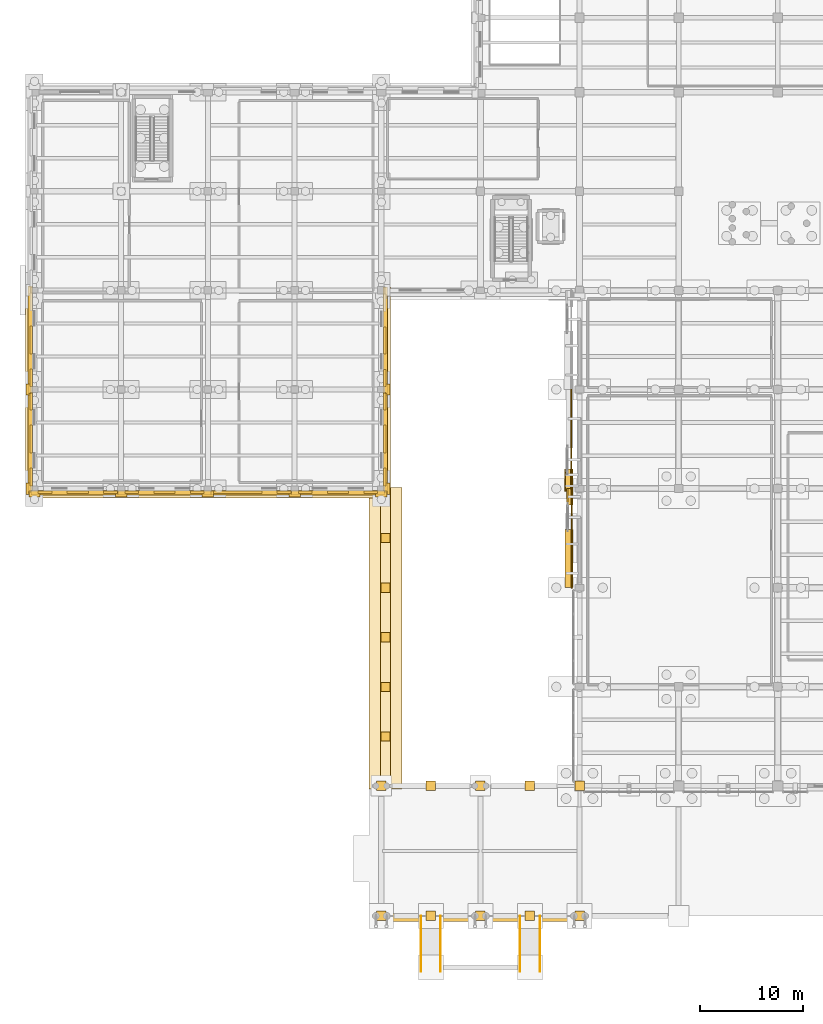
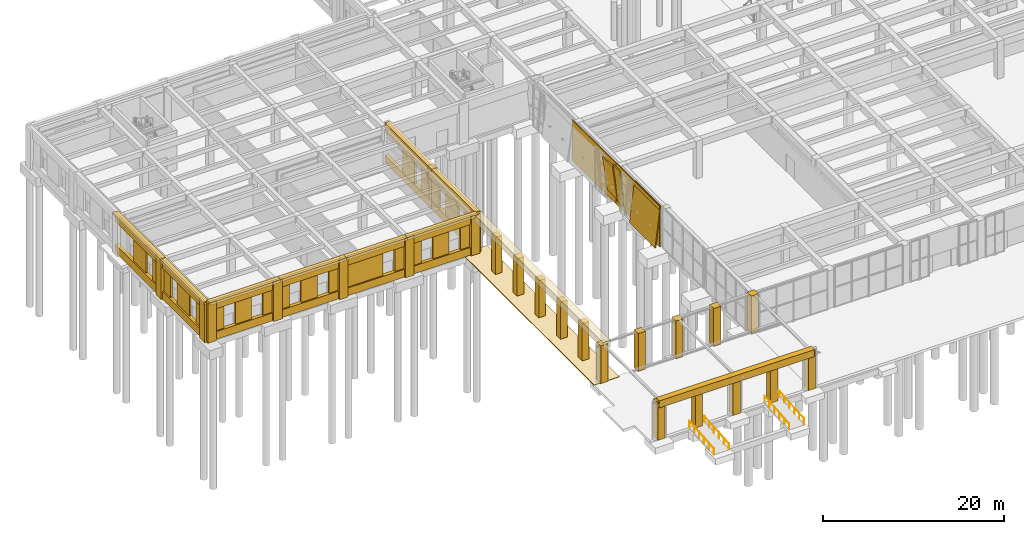
# One storey, part 40 of 51: 77 coverings, 4 railings.
"""IFC4 building model written with IfcOpenShell, lengths in metres."""

import ifcopenshell
import ifcopenshell.guid

model = None  # the IFC model being written
_history = None  # IfcOwnerHistory: only IFC2X3 demands one
_inside = {}  # id of a spatial element -> (the spatial element, [elements in it])
_under = {}  # id of a project, library or spatial element -> (it, [spatial elements below it])
_declared = {}  # id of a project -> (the project, [libraries it declares])
_typed = {}  # id of a type object -> (the type object, [elements of that type])
_made_of = {}  # id of a material, layer set ... -> (it, [elements and type objects made of it])


def new_model(schema):
    """Start an empty IFC model of exactly this schema.

    Asked for "IFC4X3", IfcOpenShell would pick the latest addendum, in which some entities
    have other attributes; the version numbers below select the first issue.
    IFC2X3 requires an IfcOwnerHistory on every rooted entity: one is made here for all.
    """
    global model, _history
    if schema == "IFC4X3":
        model = ifcopenshell.file(schema_version=(4, 3, 0, 0))
    else:
        model = ifcopenshell.file(schema=schema)
    _inside.clear()
    _under.clear()
    _declared.clear()
    _typed.clear()
    _made_of.clear()
    _history = None
    if model.schema == "IFC2X3":
        org = make("IfcOrganization", Name="unknown")
        user = make(
            "IfcPersonAndOrganization",
            ThePerson=make("IfcPerson", FamilyName="unknown"),
            TheOrganization=org,
        )
        app = make(
            "IfcApplication",
            ApplicationDeveloper=org,
            Version="unknown",
            ApplicationFullName="unknown",
            ApplicationIdentifier="unknown",
        )
        _history = make(
            "IfcOwnerHistory",
            OwningUser=user,
            OwningApplication=app,
            ChangeAction="ADDED",
            CreationDate=0,
        )
    return model


def make(cls, **values):
    """One entity of the class cls with the attributes given. An attribute that is None is left unset."""
    return model.create_entity(
        cls, **{name: value for name, value in values.items() if value is not None}
    )


def rooted(cls, **values):
    """An entity with a GlobalId (a new one), such as an element, a storey or a relation."""
    return make(cls, GlobalId=ifcopenshell.guid.new(), OwnerHistory=_history, **values)


def si_unit(unit_type, name, prefix=None):
    """IfcSIUnit, for example si_unit("LENGTHUNIT", "METRE", prefix="MILLI")."""
    return make("IfcSIUnit", UnitType=unit_type, Prefix=prefix, Name=name)


def assignment(units):
    """IfcUnitAssignment: the units of a project."""
    return None if units is None else make("IfcUnitAssignment", Units=units)


def point(xyz):
    """IfcCartesianPoint."""
    return None if xyz is None else make("IfcCartesianPoint", Coordinates=xyz)


def direction(xyz):
    """IfcDirection."""
    return None if xyz is None else make("IfcDirection", DirectionRatios=xyz)


def frame(location, z_axis=None, x_axis=None):
    """IfcAxis2Placement3D, a coordinate frame: its origin and axes. An axis left out is left unset."""
    return make(
        "IfcAxis2Placement3D",
        Location=point(location),
        Axis=direction(z_axis),
        RefDirection=direction(x_axis),
    )


def frame_2d(location, x_axis=None):
    """IfcAxis2Placement2D, a coordinate frame in the plane: its origin and x axis."""
    return make(
        "IfcAxis2Placement2D", Location=point(location), RefDirection=direction(x_axis)
    )


def origin():
    """The frame at (0, 0, 0) with its axes left unset."""
    return frame((0.0, 0.0, 0.0))


def origin_2d():
    """The frame at (0, 0) in the plane with its x axis left unset."""
    return frame_2d((0.0, 0.0))


def place(relative_to, where):
    """IfcLocalPlacement: puts the frame where relative to a parent placement (None: the world)."""
    return make(
        "IfcLocalPlacement", PlacementRelTo=relative_to, RelativePlacement=where
    )


def context(
    kind, dimensions, precision=None, world=None, true_north=None, identifier=None
):
    """IfcGeometricRepresentationContext, for example the 3D "Model" context."""
    return make(
        "IfcGeometricRepresentationContext",
        ContextIdentifier=identifier,
        ContextType=kind,
        CoordinateSpaceDimension=dimensions,
        Precision=precision,
        WorldCoordinateSystem=world,
        TrueNorth=true_north,
    )


def subcontext(parent, identifier, kind, view, scale=None):
    """IfcGeometricRepresentationSubContext, for example "Body" below "Model"."""
    return make(
        "IfcGeometricRepresentationSubContext",
        ContextIdentifier=identifier,
        ContextType=kind,
        ParentContext=parent,
        TargetScale=scale,
        TargetView=view,
    )


def project(units=None, contexts=None):
    """IfcProject with its units and contexts."""
    return rooted(
        "IfcProject",
        Name="project",
        RepresentationContexts=contexts,
        UnitsInContext=assignment(units),
    )


def spatial(cls, under=None, at=None, **own):
    """A site, building, storey or space (cls), placed at a placement, below another one or the project."""
    s = rooted(cls, ObjectPlacement=at, **own)
    if under is not None:
        _under.setdefault(under.id(), (under, []))[1].append(s)
    return s


def profile(cls, at=None, kind="AREA", **sizes):
    """A parametric profile (cls). Its sizes go by their IFC names, for example OverallWidth=200.0."""
    return make(cls, ProfileType=kind, Position=at, **sizes)


def rectangle(**sizes):
    """IfcRectangleProfileDef."""
    return profile("IfcRectangleProfileDef", **sizes)


def circle(**sizes):
    """IfcCircleProfileDef."""
    return profile("IfcCircleProfileDef", **sizes)


def extrude(swept, where, along, depth):
    """IfcExtrudedAreaSolid: the profile swept, set in the frame where, extruded along a direction by depth."""
    return make(
        "IfcExtrudedAreaSolid",
        SweptArea=swept,
        Position=where,
        ExtrudedDirection=direction(along),
        Depth=depth,
    )


def shape(context_of_items, identifier, shape_type, items):
    """IfcShapeRepresentation: the items that make up one representation, for example the "Body"."""
    return make(
        "IfcShapeRepresentation",
        ContextOfItems=context_of_items,
        RepresentationIdentifier=identifier,
        RepresentationType=shape_type,
        Items=items,
    )


def material(Name=None, Category=None):
    """IfcMaterial."""
    return make("IfcMaterial", Name=Name, Category=Category)


def layer(
    of_material, thickness, ventilated=None, Name=None, Category=None, Priority=None
):
    """IfcMaterialLayer: one layer of a wall or slab, of a material (None: an air gap)."""
    return make(
        "IfcMaterialLayer",
        Material=of_material,
        LayerThickness=thickness,
        IsVentilated=ventilated,
        Name=Name,
        Category=Category,
        Priority=Priority,
    )


def layer_set(layers, Name=None):
    """IfcMaterialLayerSet."""
    return make("IfcMaterialLayerSet", MaterialLayers=layers, LayerSetName=Name)


def made_of(thing, what):
    """Note that an element or type object is made of a material, layer set ...; save() writes the relation."""
    if what is not None:
        _made_of.setdefault(what.id(), (what, []))[1].append(thing)
    return thing


def type_object(cls, material=None, **own):
    """A type object (cls), such as IfcWallType, which elements share."""
    return made_of(rooted(cls, **own), material)


def element(
    cls,
    number,
    at=None,
    inside=None,
    cuts=None,
    type_object=None,
    material=None,
    context=None,
    identifier="Body",
    shape_type=None,
    held_by="IfcProductDefinitionShape",
    body=None,
    shapes=None,
    **own,
):
    """One element of the class cls, such as IfcWall. Its Tag is "e" and its number.

    at: its placement. inside: the storey or other place that contains it. cuts: it is an
    opening in that element (IfcRelVoidsElement). A single representation is given by context,
    identifier, shape_type and body (its items); several are given by shapes. held_by: the class
    of the entity that holds the representations. save() writes the other relations.
    """
    e = rooted(cls, Tag="e%d" % number, ObjectPlacement=at, **own)
    if body is not None:
        shapes = [shape(context, identifier, shape_type, body)]
    if shapes is not None:
        e.Representation = make(held_by, Representations=shapes)
    if inside is not None:
        _inside.setdefault(inside.id(), (inside, []))[1].append(e)
    if cuts is not None:
        rooted(
            "IfcRelVoidsElement", RelatingBuildingElement=cuts, RelatedOpeningElement=e
        )
    if type_object is not None:
        _typed.setdefault(type_object.id(), (type_object, []))[1].append(e)
    return made_of(e, material)


def aggregate(whole, parts):
    """IfcRelAggregates: a whole, such as a stair, and the parts it consists of."""
    return rooted("IfcRelAggregates", RelatingObject=whole, RelatedObjects=parts)


def save(model, path):
    """Write the relations noted so far, then the file.

    IfcRelAggregates (storeys below a building ...), IfcRelContainedInSpatialStructure (elements
    in a storey), IfcRelDefinesByType, IfcRelAssociatesMaterial and IfcRelDeclares: one each for
    every whole, place, type object, material and project.
    """
    for whole, parts in _under.values():
        aggregate(whole, parts)
    for where, things in _inside.values():
        rooted(
            "IfcRelContainedInSpatialStructure",
            RelatedElements=things,
            RelatingStructure=where,
        )
    for kind, things in _typed.values():
        rooted("IfcRelDefinesByType", RelatedObjects=things, RelatingType=kind)
    for what, things in _made_of.values():
        rooted("IfcRelAssociatesMaterial", RelatedObjects=things, RelatingMaterial=what)
    for by, libraries in _declared.values():
        rooted("IfcRelDeclares", RelatingContext=by, RelatedDefinitions=libraries)
    model.write(path)


model = new_model("IFC4")

# Units and contexts
model_context = context("Model", 3, precision=1e-05, world=origin(), true_north=direction((0.0, 1.0)))
body_context = subcontext(model_context, "Body", "Model", "MODEL_VIEW")
ifc_project = project(units=[si_unit("LENGTHUNIT", "METRE"), si_unit("AREAUNIT", "SQUARE_METRE"), si_unit("VOLUMEUNIT", "CUBIC_METRE"), si_unit("PLANEANGLEUNIT", "RADIAN"), si_unit("MASSUNIT", "GRAM", prefix="KILO")], contexts=[model_context])

# Site, building, storey
site_placement = place(None, origin())
site = spatial("IfcSite", under=ifc_project, at=site_placement, CompositionType="ELEMENT")
building_placement = place(site_placement, origin())
building = spatial("IfcBuilding", under=site, at=building_placement, Name="Bempovik Park Faculty of Sciences", CompositionType="ELEMENT")
storey_placement = place(building_placement, origin())
storey = spatial("IfcBuildingStorey", under=building, at=storey_placement, Name="L00", CompositionType="ELEMENT", Elevation=0.0)

# Coverings
ifc_material_1 = material(Name="White reconstituted limestone precast C40/50", Category="masonry")
ifc_layer_1 = layer(ifc_material_1, 0.1201171875)
ifc_layer_set_1 = layer_set([ifc_layer_1], Name="White reconstituted limestone precast C40/50")
covering_type_1 = type_object("IfcCoveringType", Name="CL-01 Crystal Limestone Facet 120mm", PredefinedType="CLADDING", material=ifc_layer_set_1)
covering_1_placement = place(storey_placement, frame((59.235595703125, 43.800048828125, -0.0400390625), z_axis=(0.0, 0.0, 1.0), x_axis=(1.0, 0.0, 0.0)))
element("IfcCovering", 1, at=covering_1_placement, inside=storey, type_object=covering_type_1, Name="L00 White Crystal Seam Backing 600-390", PredefinedType="CLADDING", context=body_context, shape_type="SweptSolid", body=[
    extrude(rectangle(XDim=0.10009765625, YDim=9.679931640625, at=origin_2d()), origin(), (0.0, 0.0, 1.0), 5.47998046875),
])
covering_2_placement = place(storey_placement, frame((58.671142578125, 41.822509765625, -0.020751953125), z_axis=(0.118403968307, 0.0, 0.992965508107), x_axis=(0.0, 1.0, 0.0)))
element("IfcCovering", 2, at=covering_2_placement, inside=storey, type_object=covering_type_1, Name="L00 Tilted Crystal Limestone Facet FAC-CRYS-L00-600-390", PredefinedType="CLADDING", context=body_context, shape_type="SweptSolid", body=[
    extrude(rectangle(XDim=5.64501953125, YDim=0.139892578125, at=origin_2d()), origin(), (0.0, 0.0, 1.0), 5.47998046875),
])
covering_3_placement = place(storey_placement, frame((59.29931640625, 47.802490234375, -0.029296875), z_axis=(-0.088894296866, 0.0, 0.996041065411), x_axis=(0.0, 1.0, 0.0)))
element("IfcCovering", 3, at=covering_3_placement, inside=storey, type_object=covering_type_1, Name="L00 Counter-Tilted Crystal Facet FAC-CRYS-L00-600-390-R", PredefinedType="CLADDING", context=body_context, shape_type="SweptSolid", body=[
    extrude(rectangle(XDim=1.594970703125, YDim=0.139892578125, at=origin_2d()), origin(), (0.0, 0.0, 1.0), 5.47998046875),
])
covering_4_placement = place(storey_placement, frame((59.197509765625, 53.39990234375, -0.0400390625), z_axis=(0.0, 0.0, 1.0), x_axis=(1.0, 0.0, 0.0)))
element("IfcCovering", 4, at=covering_4_placement, inside=storey, type_object=covering_type_1, Name="L00 White Crystal Seam Backing 600-486", PredefinedType="CLADDING", context=body_context, shape_type="SweptSolid", body=[
    extrude(rectangle(XDim=0.10009765625, YDim=9.679931640625, at=origin_2d()), origin(), (0.0, 0.0, 1.0), 5.47998046875),
])
covering_5_placement = place(storey_placement, frame((59.31982421875, 49.3974609375, -0.015869140625), z_axis=(-0.132256390257, 0.0, 0.991215540252), x_axis=(0.0, 1.0, 0.0)))
element("IfcCovering", 5, at=covering_5_placement, inside=storey, type_object=covering_type_1, Name="L00 Tilted Crystal Limestone Facet FAC-CRYS-L00-600-486", PredefinedType="CLADDING", context=body_context, shape_type="SweptSolid", body=[
    extrude(rectangle(XDim=2.199951171875, YDim=0.139892578125, at=origin_2d()), origin(), (0.0, 0.0, 1.0), 5.47998046875),
])
ifc_material_2 = material(Name="Precast concrete C40/50", Category="concrete")
ifc_layer_2 = layer(ifc_material_2, 0.179931640625)
ifc_layer_set_2 = layer_set([ifc_layer_2], Name="Precast concrete C40/50")
covering_type_2 = type_object("IfcCoveringType", Name="CL-02 Classical Cornice Band 180mm", PredefinedType="CLADDING", material=ifc_layer_set_2)
covering_6_placement = place(storey_placement, frame((41.330078125, 53.39990234375, 5.0400390625), z_axis=(0.0, 0.0, 1.0), x_axis=(1.0, 0.0, 0.0)))
element("IfcCovering", 6, at=covering_6_placement, inside=storey, type_object=covering_type_2, Name="L00 Classical Projecting Dentil Cornice EW-L00-5666", PredefinedType="CLADDING", context=body_context, shape_type="SweptSolid", body=[
    extrude(rectangle(XDim=0.719970703125, YDim=10.406005859375, at=origin_2d()), origin(), (0.0, 0.0, 1.0), 0.360107421875),
])
covering_7_placement = place(storey_placement, frame((41.330078125, 62.955078125, 5.0400390625), z_axis=(0.0, 0.0, 1.0), x_axis=(1.0, 0.0, 0.0)))
element("IfcCovering", 7, at=covering_7_placement, inside=storey, type_object=covering_type_2, Name="L00 Classical Projecting Dentil Cornice EW-L00-5677", PredefinedType="CLADDING", context=body_context, shape_type="SweptSolid", body=[
    extrude(rectangle(XDim=0.719970703125, YDim=10.31591796875, at=origin_2d()), origin(), (0.0, 0.0, 1.0), 0.360107421875),
])
for number, where, z_axis, x_axis, name in (
    (8, (11.39990234375, 48.070068359375, 5.0400390625), (0.0, 0.0, 1.0), (1.0, 0.0, 0.0), "L00 Classical Projecting Dentil Cornice EW-L00-5687"),
    (9, (19.800048828125, 48.070068359375, 5.0400390625), (0.0, 0.0, 1.0), (1.0, 0.0, 0.0), "L00 Classical Projecting Dentil Cornice EW-L00-5698"),
    (10, (28.199951171875, 48.070068359375, 5.0400390625), (0.0, 0.0, 1.0), (1.0, 0.0, 0.0), "L00 Classical Projecting Dentil Cornice EW-L00-5708"),
    (11, (36.60009765625, 48.070068359375, 5.0400390625), (0.0, 0.0, 1.0), (1.0, 0.0, 0.0), "L00 Classical Projecting Dentil Cornice EW-L00-5716"),
):
    element("IfcCovering", number, at=place(storey_placement, frame(where, z_axis=z_axis, x_axis=x_axis)), inside=storey, type_object=covering_type_2, Name=name, PredefinedType="CLADDING", context=body_context, shape_type="SweptSolid", body=[
        extrude(rectangle(XDim=9.02587890625, YDim=0.719970703125, at=origin_2d()), origin(), (0.0, 0.0, 1.0), 0.360107421875),
    ])
for number, where, z_axis, x_axis, name in (
    (12, (6.669921875, 53.39990234375, 5.0400390625), (0.0, 0.0, 1.0), (1.0, 0.0, 0.0), "L00 Classical Projecting Dentil Cornice EW-L00-5726"),
    (13, (6.669921875, 63.0, 5.0400390625), (0.0, 0.0, 1.0), (1.0, 0.0, 0.0), "L00 Classical Projecting Dentil Cornice EW-L00-5737"),
):
    element("IfcCovering", number, at=place(storey_placement, frame(where, z_axis=z_axis, x_axis=x_axis)), inside=storey, type_object=covering_type_2, Name=name, PredefinedType="CLADDING", context=body_context, shape_type="SweptSolid", body=[
        extrude(rectangle(XDim=0.719970703125, YDim=10.406005859375, at=origin_2d()), origin(), (0.0, 0.0, 1.0), 0.360107421875),
    ])
ifc_layer_3 = layer(ifc_material_1, 0.239990234375)
ifc_layer_set_3 = layer_set([ifc_layer_3], Name="White reconstituted limestone precast C40/50")
covering_type_3 = type_object("IfcCoveringType", Name="CL-03 Classical Fluted Limestone Pilaster 240mm", PredefinedType="CLADDING", material=ifc_layer_set_3)
covering_8_placement = place(storey_placement, frame((41.18994140625, 53.39990234375, 4.1201171875), z_axis=(0.0, 0.0, 1.0), x_axis=(1.0, 0.0, 0.0)))
element("IfcCovering", 14, at=covering_8_placement, inside=storey, type_object=covering_type_3, Name="L00 Classical Limestone Spandrel Entablature EW-L00-5666", PredefinedType="CLADDING", context=body_context, shape_type="SweptSolid", body=[
    extrude(rectangle(XDim=0.43994140625, YDim=10.406005859375, at=origin_2d()), origin(), (0.0, 0.0, 1.0), 1.280029296875),
])
covering_9_placement = place(storey_placement, frame((41.18994140625, 53.39990234375, 0.0), z_axis=(0.0, 0.0, 1.0), x_axis=(1.0, 0.0, 0.0)))
element("IfcCovering", 15, at=covering_9_placement, inside=storey, type_object=covering_type_3, Name="L00 Classical Limestone Sill Dado EW-L00-5666", PredefinedType="CLADDING", context=body_context, shape_type="SweptSolid", body=[
    extrude(rectangle(XDim=0.43994140625, YDim=10.406005859375, at=origin_2d()), origin(), (0.0, 0.0, 1.0), 1.050048828125),
])
for number, where, z_axis, x_axis, name in (
    (16, (41.330078125, 48.60009765625, 0.0), (0.0, 0.0, 1.0), (1.0, 0.0, 0.0), "L00 Classical Fluted Stone Pilaster PIL-BA-L00-413-486"),
    (17, (41.330078125, 58.199951171875, 0.0), (0.0, 0.0, 1.0), (1.0, 0.0, 0.0), "L00 Classical Fluted Stone Pilaster PIL-BA-L00-413-582"),
):
    element("IfcCovering", number, at=place(storey_placement, frame(where, z_axis=z_axis, x_axis=x_axis)), inside=storey, type_object=covering_type_3, Name=name, PredefinedType="CLADDING", context=body_context, shape_type="SweptSolid", body=[
        extrude(rectangle(XDim=0.580078125, YDim=1.10009765625, at=origin_2d()), origin(), (0.0, 0.0, 1.0), 5.39990234375),
    ])
covering_10_placement = place(storey_placement, frame((41.1298828125, 49.724609375, 0.0), z_axis=(0.0, 0.0, 1.0), x_axis=(1.0, 0.0, 0.0)))
element("IfcCovering", 18, at=covering_10_placement, inside=storey, type_object=covering_type_3, Name="L00 White Limestone Wall Cheek EW-L00-5666-0", PredefinedType="CLADDING", context=body_context, shape_type="SweptSolid", body=[
    extrude(rectangle(XDim=0.239990234375, YDim=1.705078125, at=origin_2d()), origin(), (0.0, 0.0, 1.0), 4.280029296875),
])
covering_11_placement = place(storey_placement, frame((41.1298828125, 53.39990234375, 0.0), z_axis=(0.0, 0.0, 1.0), x_axis=(1.0, 0.0, 0.0)))
element("IfcCovering", 19, at=covering_11_placement, inside=storey, type_object=covering_type_3, Name="L00 White Limestone Wall Cheek EW-L00-5666-2", PredefinedType="CLADDING", context=body_context, shape_type="SweptSolid", body=[
    extrude(rectangle(XDim=0.239990234375, YDim=2.685791015625, at=origin_2d()), origin(), (0.0, 0.0, 1.0), 4.280029296875),
])
covering_12_placement = place(storey_placement, frame((41.1298828125, 57.075439453125, 0.0), z_axis=(0.0, 0.0, 1.0), x_axis=(1.0, 0.0, 0.0)))
element("IfcCovering", 20, at=covering_12_placement, inside=storey, type_object=covering_type_3, Name="L00 White Limestone Wall Cheek EW-L00-5666-4", PredefinedType="CLADDING", context=body_context, shape_type="SweptSolid", body=[
    extrude(rectangle(XDim=0.239990234375, YDim=1.705078125, at=origin_2d()), origin(), (0.0, 0.0, 1.0), 4.280029296875),
])
covering_13_placement = place(storey_placement, frame((41.18994140625, 62.955078125, 4.1201171875), z_axis=(0.0, 0.0, 1.0), x_axis=(1.0, 0.0, 0.0)))
element("IfcCovering", 21, at=covering_13_placement, inside=storey, type_object=covering_type_3, Name="L00 Classical Limestone Spandrel Entablature EW-L00-5677", PredefinedType="CLADDING", context=body_context, shape_type="SweptSolid", body=[
    extrude(rectangle(XDim=0.43994140625, YDim=10.31591796875, at=origin_2d()), origin(), (0.0, 0.0, 1.0), 1.280029296875),
])
covering_14_placement = place(storey_placement, frame((41.18994140625, 62.955078125, 0.0), z_axis=(0.0, 0.0, 1.0), x_axis=(1.0, 0.0, 0.0)))
element("IfcCovering", 22, at=covering_14_placement, inside=storey, type_object=covering_type_3, Name="L00 Classical Limestone Sill Dado EW-L00-5677", PredefinedType="CLADDING", context=body_context, shape_type="SweptSolid", body=[
    extrude(rectangle(XDim=0.43994140625, YDim=10.31591796875, at=origin_2d()), origin(), (0.0, 0.0, 1.0), 1.050048828125),
])
covering_15_placement = place(storey_placement, frame((41.1298828125, 59.3125, 0.0), z_axis=(0.0, 0.0, 1.0), x_axis=(1.0, 0.0, 0.0)))
element("IfcCovering", 23, at=covering_15_placement, inside=storey, type_object=covering_type_3, Name="L00 White Limestone Wall Cheek EW-L00-5677-0", PredefinedType="CLADDING", context=body_context, shape_type="SweptSolid", body=[
    extrude(rectangle(XDim=0.239990234375, YDim=1.680908203125, at=origin_2d()), origin(), (0.0, 0.0, 1.0), 4.280029296875),
])
covering_16_placement = place(storey_placement, frame((41.1298828125, 62.955078125, 0.0), z_axis=(0.0, 0.0, 1.0), x_axis=(1.0, 0.0, 0.0)))
element("IfcCovering", 24, at=covering_16_placement, inside=storey, type_object=covering_type_3, Name="L00 White Limestone Wall Cheek EW-L00-5677-2", PredefinedType="CLADDING", context=body_context, shape_type="SweptSolid", body=[
    extrude(rectangle(XDim=0.239990234375, YDim=2.644287109375, at=origin_2d()), origin(), (0.0, 0.0, 1.0), 4.280029296875),
])
covering_17_placement = place(storey_placement, frame((11.39990234375, 48.2099609375, 4.1201171875), z_axis=(0.0, 0.0, 1.0), x_axis=(1.0, 0.0, 0.0)))
element("IfcCovering", 25, at=covering_17_placement, inside=storey, type_object=covering_type_3, Name="L00 Classical Limestone Spandrel Entablature EW-L00-5687", PredefinedType="CLADDING", context=body_context, shape_type="SweptSolid", body=[
    extrude(rectangle(XDim=9.02587890625, YDim=0.43994140625, at=origin_2d()), origin(), (0.0, 0.0, 1.0), 1.280029296875),
])
covering_18_placement = place(storey_placement, frame((11.39990234375, 48.2099609375, 0.0), z_axis=(0.0, 0.0, 1.0), x_axis=(1.0, 0.0, 0.0)))
element("IfcCovering", 26, at=covering_18_placement, inside=storey, type_object=covering_type_3, Name="L00 Classical Limestone Sill Dado EW-L00-5687", PredefinedType="CLADDING", context=body_context, shape_type="SweptSolid", body=[
    extrude(rectangle(XDim=9.02587890625, YDim=0.43994140625, at=origin_2d()), origin(), (0.0, 0.0, 1.0), 1.050048828125),
])
for number, where, z_axis, x_axis, name in (
    (27, (7.199951171875, 48.070068359375, 0.0), (0.0, 0.0, 1.0), (1.0, 0.0, 0.0), "L00 Classical Fluted Stone Pilaster PIL-BA-L00-72-481"),
    (28, (15.60009765625, 48.070068359375, 0.0), (0.0, 0.0, 1.0), (1.0, 0.0, 0.0), "L00 Classical Fluted Stone Pilaster PIL-BA-L00-156-481"),
):
    element("IfcCovering", number, at=place(storey_placement, frame(where, z_axis=z_axis, x_axis=x_axis)), inside=storey, type_object=covering_type_3, Name=name, PredefinedType="CLADDING", context=body_context, shape_type="SweptSolid", body=[
        extrude(rectangle(XDim=1.10009765625, YDim=0.580078125, at=origin_2d()), origin(), (0.0, 0.0, 1.0), 5.39990234375),
    ])
covering_19_placement = place(storey_placement, frame((8.228271484375, 48.27001953125, 0.0), z_axis=(0.0, 0.0, 1.0), x_axis=(1.0, 0.0, 0.0)))
element("IfcCovering", 29, at=covering_19_placement, inside=storey, type_object=covering_type_3, Name="L00 White Limestone Wall Cheek EW-L00-5687-0", PredefinedType="CLADDING", context=body_context, shape_type="SweptSolid", body=[
    extrude(rectangle(XDim=1.33251953125, YDim=0.239990234375, at=origin_2d()), origin(), (0.0, 0.0, 1.0), 4.280029296875),
])
covering_20_placement = place(storey_placement, frame((11.39990234375, 48.27001953125, 0.0), z_axis=(0.0, 0.0, 1.0), x_axis=(1.0, 0.0, 0.0)))
element("IfcCovering", 30, at=covering_20_placement, inside=storey, type_object=covering_type_3, Name="L00 White Limestone Wall Cheek EW-L00-5687-2", PredefinedType="CLADDING", context=body_context, shape_type="SweptSolid", body=[
    extrude(rectangle(XDim=2.051025390625, YDim=0.239990234375, at=origin_2d()), origin(), (0.0, 0.0, 1.0), 4.280029296875),
])
covering_21_placement = place(storey_placement, frame((14.57177734375, 48.27001953125, 0.0), z_axis=(0.0, 0.0, 1.0), x_axis=(1.0, 0.0, 0.0)))
element("IfcCovering", 31, at=covering_21_placement, inside=storey, type_object=covering_type_3, Name="L00 White Limestone Wall Cheek EW-L00-5687-4", PredefinedType="CLADDING", context=body_context, shape_type="SweptSolid", body=[
    extrude(rectangle(XDim=1.33251953125, YDim=0.239990234375, at=origin_2d()), origin(), (0.0, 0.0, 1.0), 4.280029296875),
])
covering_22_placement = place(storey_placement, frame((19.800048828125, 48.2099609375, 4.1201171875), z_axis=(0.0, 0.0, 1.0), x_axis=(1.0, 0.0, 0.0)))
element("IfcCovering", 32, at=covering_22_placement, inside=storey, type_object=covering_type_3, Name="L00 Classical Limestone Spandrel Entablature EW-L00-5698", PredefinedType="CLADDING", context=body_context, shape_type="SweptSolid", body=[
    extrude(rectangle(XDim=9.02587890625, YDim=0.43994140625, at=origin_2d()), origin(), (0.0, 0.0, 1.0), 1.280029296875),
])
covering_23_placement = place(storey_placement, frame((19.800048828125, 48.2099609375, 0.0), z_axis=(0.0, 0.0, 1.0), x_axis=(1.0, 0.0, 0.0)))
element("IfcCovering", 33, at=covering_23_placement, inside=storey, type_object=covering_type_3, Name="L00 Classical Limestone Sill Dado EW-L00-5698", PredefinedType="CLADDING", context=body_context, shape_type="SweptSolid", body=[
    extrude(rectangle(XDim=9.02587890625, YDim=0.43994140625, at=origin_2d()), origin(), (0.0, 0.0, 1.0), 1.050048828125),
])
covering_24_placement = place(storey_placement, frame((24.0, 48.070068359375, 0.0), z_axis=(0.0, 0.0, 1.0), x_axis=(1.0, 0.0, 0.0)))
element("IfcCovering", 34, at=covering_24_placement, inside=storey, type_object=covering_type_3, Name="L00 Classical Fluted Stone Pilaster PIL-BA-L00-240-481", PredefinedType="CLADDING", context=body_context, shape_type="SweptSolid", body=[
    extrude(rectangle(XDim=1.10009765625, YDim=0.580078125, at=origin_2d()), origin(), (0.0, 0.0, 1.0), 5.39990234375),
])
covering_25_placement = place(storey_placement, frame((16.62841796875, 48.27001953125, 0.0), z_axis=(0.0, 0.0, 1.0), x_axis=(1.0, 0.0, 0.0)))
element("IfcCovering", 35, at=covering_25_placement, inside=storey, type_object=covering_type_3, Name="L00 White Limestone Wall Cheek EW-L00-5698-0", PredefinedType="CLADDING", context=body_context, shape_type="SweptSolid", body=[
    extrude(rectangle(XDim=1.33251953125, YDim=0.239990234375, at=origin_2d()), origin(), (0.0, 0.0, 1.0), 4.280029296875),
])
covering_26_placement = place(storey_placement, frame((19.800048828125, 48.27001953125, 0.0), z_axis=(0.0, 0.0, 1.0), x_axis=(1.0, 0.0, 0.0)))
element("IfcCovering", 36, at=covering_26_placement, inside=storey, type_object=covering_type_3, Name="L00 White Limestone Wall Cheek EW-L00-5698-2", PredefinedType="CLADDING", context=body_context, shape_type="SweptSolid", body=[
    extrude(rectangle(XDim=2.051025390625, YDim=0.239990234375, at=origin_2d()), origin(), (0.0, 0.0, 1.0), 4.280029296875),
])
covering_27_placement = place(storey_placement, frame((22.9716796875, 48.27001953125, 0.0), z_axis=(0.0, 0.0, 1.0), x_axis=(1.0, 0.0, 0.0)))
element("IfcCovering", 37, at=covering_27_placement, inside=storey, type_object=covering_type_3, Name="L00 White Limestone Wall Cheek EW-L00-5698-4", PredefinedType="CLADDING", context=body_context, shape_type="SweptSolid", body=[
    extrude(rectangle(XDim=1.33251953125, YDim=0.239990234375, at=origin_2d()), origin(), (0.0, 0.0, 1.0), 4.280029296875),
])
covering_28_placement = place(storey_placement, frame((28.199951171875, 48.2099609375, 4.1201171875), z_axis=(0.0, 0.0, 1.0), x_axis=(1.0, 0.0, 0.0)))
element("IfcCovering", 38, at=covering_28_placement, inside=storey, type_object=covering_type_3, Name="L00 Classical Limestone Spandrel Entablature EW-L00-5708", PredefinedType="CLADDING", context=body_context, shape_type="SweptSolid", body=[
    extrude(rectangle(XDim=9.02587890625, YDim=0.43994140625, at=origin_2d()), origin(), (0.0, 0.0, 1.0), 1.280029296875),
])
covering_29_placement = place(storey_placement, frame((28.199951171875, 48.2099609375, 0.0), z_axis=(0.0, 0.0, 1.0), x_axis=(1.0, 0.0, 0.0)))
element("IfcCovering", 39, at=covering_29_placement, inside=storey, type_object=covering_type_3, Name="L00 Classical Limestone Sill Dado EW-L00-5708", PredefinedType="CLADDING", context=body_context, shape_type="SweptSolid", body=[
    extrude(rectangle(XDim=9.02587890625, YDim=0.43994140625, at=origin_2d()), origin(), (0.0, 0.0, 1.0), 1.050048828125),
])
covering_30_placement = place(storey_placement, frame((32.39990234375, 48.070068359375, 0.0), z_axis=(0.0, 0.0, 1.0), x_axis=(1.0, 0.0, 0.0)))
element("IfcCovering", 40, at=covering_30_placement, inside=storey, type_object=covering_type_3, Name="L00 Classical Fluted Stone Pilaster PIL-BA-L00-324-481", PredefinedType="CLADDING", context=body_context, shape_type="SweptSolid", body=[
    extrude(rectangle(XDim=1.10009765625, YDim=0.580078125, at=origin_2d()), origin(), (0.0, 0.0, 1.0), 5.39990234375),
])
covering_31_placement = place(storey_placement, frame((26.793701171875, 48.27001953125, 0.0), z_axis=(0.0, 0.0, 1.0), x_axis=(1.0, 0.0, 0.0)))
element("IfcCovering", 41, at=covering_31_placement, inside=storey, type_object=covering_type_3, Name="L00 White Limestone Wall Cheek EW-L00-5708-0", PredefinedType="CLADDING", context=body_context, shape_type="SweptSolid", body=[
    extrude(rectangle(XDim=4.863525390625, YDim=0.239990234375, at=origin_2d()), origin(), (0.0, 0.0, 1.0), 4.280029296875),
])
covering_32_placement = place(storey_placement, frame((31.37158203125, 48.27001953125, 0.0), z_axis=(0.0, 0.0, 1.0), x_axis=(1.0, 0.0, 0.0)))
element("IfcCovering", 42, at=covering_32_placement, inside=storey, type_object=covering_type_3, Name="L00 White Limestone Wall Cheek EW-L00-5708-2", PredefinedType="CLADDING", context=body_context, shape_type="SweptSolid", body=[
    extrude(rectangle(XDim=1.33251953125, YDim=0.239990234375, at=origin_2d()), origin(), (0.0, 0.0, 1.0), 4.280029296875),
])
covering_33_placement = place(storey_placement, frame((36.60009765625, 48.2099609375, 4.1201171875), z_axis=(0.0, 0.0, 1.0), x_axis=(1.0, 0.0, 0.0)))
element("IfcCovering", 43, at=covering_33_placement, inside=storey, type_object=covering_type_3, Name="L00 Classical Limestone Spandrel Entablature EW-L00-5716", PredefinedType="CLADDING", context=body_context, shape_type="SweptSolid", body=[
    extrude(rectangle(XDim=9.02587890625, YDim=0.43994140625, at=origin_2d()), origin(), (0.0, 0.0, 1.0), 1.280029296875),
])
covering_34_placement = place(storey_placement, frame((36.60009765625, 48.2099609375, 0.0), z_axis=(0.0, 0.0, 1.0), x_axis=(1.0, 0.0, 0.0)))
element("IfcCovering", 44, at=covering_34_placement, inside=storey, type_object=covering_type_3, Name="L00 Classical Limestone Sill Dado EW-L00-5716", PredefinedType="CLADDING", context=body_context, shape_type="SweptSolid", body=[
    extrude(rectangle(XDim=9.02587890625, YDim=0.43994140625, at=origin_2d()), origin(), (0.0, 0.0, 1.0), 1.050048828125),
])
covering_35_placement = place(storey_placement, frame((40.800048828125, 48.070068359375, 0.0), z_axis=(0.0, 0.0, 1.0), x_axis=(1.0, 0.0, 0.0)))
element("IfcCovering", 45, at=covering_35_placement, inside=storey, type_object=covering_type_3, Name="L00 Classical Fluted Stone Pilaster PIL-BA-L00-408-481", PredefinedType="CLADDING", context=body_context, shape_type="SweptSolid", body=[
    extrude(rectangle(XDim=1.10009765625, YDim=0.580078125, at=origin_2d()), origin(), (0.0, 0.0, 1.0), 5.39990234375),
])
covering_36_placement = place(storey_placement, frame((33.42822265625, 48.27001953125, 0.0), z_axis=(0.0, 0.0, 1.0), x_axis=(1.0, 0.0, 0.0)))
element("IfcCovering", 46, at=covering_36_placement, inside=storey, type_object=covering_type_3, Name="L00 White Limestone Wall Cheek EW-L00-5716-0", PredefinedType="CLADDING", context=body_context, shape_type="SweptSolid", body=[
    extrude(rectangle(XDim=1.33251953125, YDim=0.239990234375, at=origin_2d()), origin(), (0.0, 0.0, 1.0), 4.280029296875),
])
covering_37_placement = place(storey_placement, frame((36.60009765625, 48.27001953125, 0.0), z_axis=(0.0, 0.0, 1.0), x_axis=(1.0, 0.0, 0.0)))
element("IfcCovering", 47, at=covering_37_placement, inside=storey, type_object=covering_type_3, Name="L00 White Limestone Wall Cheek EW-L00-5716-2", PredefinedType="CLADDING", context=body_context, shape_type="SweptSolid", body=[
    extrude(rectangle(XDim=2.051025390625, YDim=0.239990234375, at=origin_2d()), origin(), (0.0, 0.0, 1.0), 4.280029296875),
])
covering_38_placement = place(storey_placement, frame((39.771728515625, 48.27001953125, 0.0), z_axis=(0.0, 0.0, 1.0), x_axis=(1.0, 0.0, 0.0)))
element("IfcCovering", 48, at=covering_38_placement, inside=storey, type_object=covering_type_3, Name="L00 White Limestone Wall Cheek EW-L00-5716-4", PredefinedType="CLADDING", context=body_context, shape_type="SweptSolid", body=[
    extrude(rectangle(XDim=1.33251953125, YDim=0.239990234375, at=origin_2d()), origin(), (0.0, 0.0, 1.0), 4.280029296875),
])
covering_39_placement = place(storey_placement, frame((6.81005859375, 53.39990234375, 4.1201171875), z_axis=(0.0, 0.0, 1.0), x_axis=(1.0, 0.0, 0.0)))
element("IfcCovering", 49, at=covering_39_placement, inside=storey, type_object=covering_type_3, Name="L00 Classical Limestone Spandrel Entablature EW-L00-5726", PredefinedType="CLADDING", context=body_context, shape_type="SweptSolid", body=[
    extrude(rectangle(XDim=0.43994140625, YDim=10.406005859375, at=origin_2d()), origin(), (0.0, 0.0, 1.0), 1.280029296875),
])
covering_40_placement = place(storey_placement, frame((6.81005859375, 53.39990234375, 0.0), z_axis=(0.0, 0.0, 1.0), x_axis=(1.0, 0.0, 0.0)))
element("IfcCovering", 50, at=covering_40_placement, inside=storey, type_object=covering_type_3, Name="L00 Classical Limestone Sill Dado EW-L00-5726", PredefinedType="CLADDING", context=body_context, shape_type="SweptSolid", body=[
    extrude(rectangle(XDim=0.43994140625, YDim=10.406005859375, at=origin_2d()), origin(), (0.0, 0.0, 1.0), 1.050048828125),
])
for number, where, z_axis, x_axis, name in (
    (51, (6.669921875, 48.60009765625, 0.0), (0.0, 0.0, 1.0), (1.0, 0.0, 0.0), "L00 Classical Fluted Stone Pilaster PIL-BA-L00-67-486"),
    (52, (6.669921875, 58.199951171875, 0.0), (0.0, 0.0, 1.0), (1.0, 0.0, 0.0), "L00 Classical Fluted Stone Pilaster PIL-BA-L00-67-582"),
):
    element("IfcCovering", number, at=place(storey_placement, frame(where, z_axis=z_axis, x_axis=x_axis)), inside=storey, type_object=covering_type_3, Name=name, PredefinedType="CLADDING", context=body_context, shape_type="SweptSolid", body=[
        extrude(rectangle(XDim=0.580078125, YDim=1.10009765625, at=origin_2d()), origin(), (0.0, 0.0, 1.0), 5.39990234375),
    ])
covering_41_placement = place(storey_placement, frame((6.8701171875, 49.724609375, 0.0), z_axis=(0.0, 0.0, 1.0), x_axis=(1.0, 0.0, 0.0)))
element("IfcCovering", 53, at=covering_41_placement, inside=storey, type_object=covering_type_3, Name="L00 White Limestone Wall Cheek EW-L00-5726-0", PredefinedType="CLADDING", context=body_context, shape_type="SweptSolid", body=[
    extrude(rectangle(XDim=0.239990234375, YDim=1.705078125, at=origin_2d()), origin(), (0.0, 0.0, 1.0), 4.280029296875),
])
covering_42_placement = place(storey_placement, frame((6.8701171875, 53.39990234375, 0.0), z_axis=(0.0, 0.0, 1.0), x_axis=(1.0, 0.0, 0.0)))
element("IfcCovering", 54, at=covering_42_placement, inside=storey, type_object=covering_type_3, Name="L00 White Limestone Wall Cheek EW-L00-5726-2", PredefinedType="CLADDING", context=body_context, shape_type="SweptSolid", body=[
    extrude(rectangle(XDim=0.239990234375, YDim=2.685791015625, at=origin_2d()), origin(), (0.0, 0.0, 1.0), 4.280029296875),
])
covering_43_placement = place(storey_placement, frame((6.8701171875, 57.075439453125, 0.0), z_axis=(0.0, 0.0, 1.0), x_axis=(1.0, 0.0, 0.0)))
element("IfcCovering", 55, at=covering_43_placement, inside=storey, type_object=covering_type_3, Name="L00 White Limestone Wall Cheek EW-L00-5726-4", PredefinedType="CLADDING", context=body_context, shape_type="SweptSolid", body=[
    extrude(rectangle(XDim=0.239990234375, YDim=1.705078125, at=origin_2d()), origin(), (0.0, 0.0, 1.0), 4.280029296875),
])
covering_44_placement = place(storey_placement, frame((6.81005859375, 63.0, 4.1201171875), z_axis=(0.0, 0.0, 1.0), x_axis=(1.0, 0.0, 0.0)))
element("IfcCovering", 56, at=covering_44_placement, inside=storey, type_object=covering_type_3, Name="L00 Classical Limestone Spandrel Entablature EW-L00-5737", PredefinedType="CLADDING", context=body_context, shape_type="SweptSolid", body=[
    extrude(rectangle(XDim=0.43994140625, YDim=10.406005859375, at=origin_2d()), origin(), (0.0, 0.0, 1.0), 1.280029296875),
])
covering_45_placement = place(storey_placement, frame((6.81005859375, 63.0, 0.0), z_axis=(0.0, 0.0, 1.0), x_axis=(1.0, 0.0, 0.0)))
element("IfcCovering", 57, at=covering_45_placement, inside=storey, type_object=covering_type_3, Name="L00 Classical Limestone Sill Dado EW-L00-5737", PredefinedType="CLADDING", context=body_context, shape_type="SweptSolid", body=[
    extrude(rectangle(XDim=0.43994140625, YDim=10.406005859375, at=origin_2d()), origin(), (0.0, 0.0, 1.0), 1.050048828125),
])
covering_46_placement = place(storey_placement, frame((6.8701171875, 59.32470703125, 0.0), z_axis=(0.0, 0.0, 1.0), x_axis=(1.0, 0.0, 0.0)))
element("IfcCovering", 58, at=covering_46_placement, inside=storey, type_object=covering_type_3, Name="L00 White Limestone Wall Cheek EW-L00-5737-0", PredefinedType="CLADDING", context=body_context, shape_type="SweptSolid", body=[
    extrude(rectangle(XDim=0.239990234375, YDim=1.705078125, at=origin_2d()), origin(), (0.0, 0.0, 1.0), 4.280029296875),
])
covering_47_placement = place(storey_placement, frame((6.8701171875, 63.0, 0.0), z_axis=(0.0, 0.0, 1.0), x_axis=(1.0, 0.0, 0.0)))
element("IfcCovering", 59, at=covering_47_placement, inside=storey, type_object=covering_type_3, Name="L00 White Limestone Wall Cheek EW-L00-5737-2", PredefinedType="CLADDING", context=body_context, shape_type="SweptSolid", body=[
    extrude(rectangle(XDim=0.239990234375, YDim=2.685791015625, at=origin_2d()), origin(), (0.0, 0.0, 1.0), 4.280029296875),
])
for number, where, z_axis, x_axis, name in (
    (60, (40.800048828125, 7.199951171875, 0.0), (0.0, 0.0, 1.0), (1.0, 0.0, 0.0), "Classical Park Colonnade Stone Pier COLW (40.8,7.2)"),
    (61, (40.800048828125, 19.800048828125, 0.0), (0.0, 0.0, 1.0), (1.0, 0.0, 0.0), "Classical Park Colonnade Stone Pier COLW (40.8,19.8)"),
    (62, (45.60009765625, 7.199951171875, 0.0), (0.0, 0.0, 1.0), (1.0, 0.0, 0.0), "Classical Park Colonnade Stone Pier COLW (45.6,7.2)"),
    (63, (45.60009765625, 19.800048828125, 0.0), (0.0, 0.0, 1.0), (1.0, 0.0, 0.0), "Classical Park Colonnade Stone Pier COLW (45.6,19.8)"),
    (64, (50.39990234375, 7.199951171875, 0.0), (0.0, 0.0, 1.0), (1.0, 0.0, 0.0), "Classical Park Colonnade Stone Pier COLW (50.4,7.2)"),
    (65, (50.39990234375, 19.800048828125, 0.0), (0.0, 0.0, 1.0), (1.0, 0.0, 0.0), "Classical Park Colonnade Stone Pier COLW (50.4,19.8)"),
    (66, (55.199951171875, 7.199951171875, 0.0), (0.0, 0.0, 1.0), (1.0, 0.0, 0.0), "Classical Park Colonnade Stone Pier COLW (55.2,7.2)"),
    (67, (55.199951171875, 19.800048828125, 0.0), (0.0, 0.0, 1.0), (1.0, 0.0, 0.0), "Classical Park Colonnade Stone Pier COLW (55.2,19.8)"),
    (68, (60.0, 7.199951171875, 0.0), (0.0, 0.0, 1.0), (1.0, 0.0, 0.0), "Classical Park Colonnade Stone Pier COLW (60.0,7.2)"),
    (69, (60.0, 19.800048828125, 0.0), (0.0, 0.0, 1.0), (1.0, 0.0, 0.0), "Classical Park Colonnade Stone Pier COLW (60.0,19.8)"),
):
    element("IfcCovering", number, at=place(storey_placement, frame(where, z_axis=z_axis, x_axis=x_axis)), inside=storey, type_object=covering_type_3, Name=name, PredefinedType="CLADDING", context=body_context, shape_type="SweptSolid", body=[
        extrude(rectangle(XDim=0.919921875, YDim=0.919921875, at=origin_2d()), origin(), (0.0, 0.0, 1.0), 5.10009765625),
    ])
covering_48_placement = place(storey_placement, frame((50.39990234375, 7.050048828125, 4.375), z_axis=(0.0, 0.0, 1.0), x_axis=(1.0, 0.0, 0.0)))
element("IfcCovering", 70, at=covering_48_placement, inside=storey, type_object=covering_type_3, Name="Classical Park Colonnade Architrave & Frieze COLW", PredefinedType="CLADDING", context=body_context, shape_type="SweptSolid", body=[
    extrude(rectangle(XDim=19.800048828125, YDim=0.75, at=origin_2d()), origin(), (0.0, 0.0, 1.0), 0.949951171875),
])
for number, where, z_axis, x_axis, name in (
    (71, (41.199951171875, 24.60009765625, -0.02001953125), (0.0, 0.0, 1.0), (1.0, 0.0, 0.0), "Classical Garden Arcade Fluted Stone Pier W-1"),
    (72, (41.199951171875, 29.39990234375, -0.02001953125), (0.0, 0.0, 1.0), (1.0, 0.0, 0.0), "Classical Garden Arcade Fluted Stone Pier W-2"),
    (73, (41.199951171875, 34.199951171875, -0.02001953125), (0.0, 0.0, 1.0), (1.0, 0.0, 0.0), "Classical Garden Arcade Fluted Stone Pier W-3"),
    (74, (41.199951171875, 39.0, -0.02001953125), (0.0, 0.0, 1.0), (1.0, 0.0, 0.0), "Classical Garden Arcade Fluted Stone Pier W-4"),
    (75, (41.199951171875, 43.800048828125, -0.02001953125), (0.0, 0.0, 1.0), (1.0, 0.0, 0.0), "Classical Garden Arcade Fluted Stone Pier W-5"),
):
    element("IfcCovering", number, at=place(storey_placement, frame(where, z_axis=z_axis, x_axis=x_axis)), inside=storey, type_object=covering_type_3, Name=name, PredefinedType="CLADDING", context=body_context, shape_type="SweptSolid", body=[
        extrude(rectangle(XDim=0.8798828125, YDim=0.8798828125, at=origin_2d()), origin(), (0.0, 0.0, 1.0), 5.0400390625),
    ])
covering_49_placement = place(storey_placement, frame((41.199951171875, 34.14990234375, 4.429931640625), z_axis=(0.0, 0.0, 1.0), x_axis=(1.0, 0.0, 0.0)))
element("IfcCovering", 76, at=covering_49_placement, inside=storey, type_object=covering_type_3, Name="Classical Garden Arcade Stone Entablature W", PredefinedType="CLADDING", context=body_context, shape_type="SweptSolid", body=[
    extrude(rectangle(XDim=0.9599609375, YDim=29.300048828125, at=origin_2d()), origin(), (0.0, 0.0, 1.0), 0.89990234375),
])
ifc_material_3 = material(Name="Polished mineral terrazzo flooring")
ifc_layer_4 = layer(ifc_material_3, 0.030029296875)
ifc_layer_set_4 = layer_set([ifc_layer_4], Name="Polished mineral terrazzo flooring")
covering_type_4 = type_object("IfcCoveringType", Name="FL-01 Terrazzo Flooring 30mm", PredefinedType="FLOORING", material=ifc_layer_set_4)
covering_50_placement = place(storey_placement, frame((41.199951171875, 34.10009765625, -0.10009765625), z_axis=(0.0, 0.0, 1.0), x_axis=(1.0, 0.0, 0.0)))
element("IfcCovering", 77, at=covering_50_placement, inside=storey, type_object=covering_type_4, Name="Classical Park Courtyard Arcade Stylobate W", PredefinedType="FLOORING", context=body_context, shape_type="SweptSolid", body=[
    extrude(rectangle(XDim=3.199951171875, YDim=29.199951171875, at=origin_2d()), origin(), (0.0, 0.0, 1.0), 0.1201171875),
])

# Railings
ifc_material_4 = material(Name="Anodised architectural bronze")
railing_type = type_object("IfcRailingType", Name="HR-01 Wall Handrail 900mm", PredefinedType="HANDRAIL", material=ifc_material_4)
for number, where, name in (
    (78, (44.64990234375, 1.800048828125, -0.449951171875), "Accessible Ramp Handrail RMP-PED-01-W"),
    (79, (46.550048828125, 1.800048828125, -0.449951171875), "Accessible Ramp Handrail RMP-PED-01-E"),
    (80, (54.25, 1.800048828125, -0.449951171875), "Accessible Ramp Handrail RMP-PED-02-W"),
    (81, (56.14990234375, 1.800048828125, -0.449951171875), "Accessible Ramp Handrail RMP-PED-02-E"),
):
    element("IfcRailing", number, at=place(storey_placement, frame(where)), inside=storey, type_object=railing_type, Name=name, PredefinedType="HANDRAIL", context=body_context, shape_type="SweptSolid", body=[
        extrude(circle(Radius=0.02392578125, at=origin_2d()), frame((0.0, 0.0, 0.8759765625), z_axis=(0.0, 0.996546379678, 0.083038022323), x_axis=(-1.0, 0.0, 0.0)), (0.0, 0.0, 1.0), 5.418701171875),
        extrude(circle(Radius=0.02099609375, at=origin_2d()), origin(), (0.0, 0.0, 1.0), 0.851806640625),
        extrude(circle(Radius=0.02099609375, at=origin_2d()), frame((0.0, 1.080078125, 0.090087890625)), (0.0, 0.0, 1.0), 0.851806640625),
        extrude(circle(Radius=0.02099609375, at=origin_2d()), frame((0.0, 2.159912109375, 0.179931640625)), (0.0, 0.0, 1.0), 0.851806640625),
        extrude(circle(Radius=0.02099609375, at=origin_2d()), frame((0.0, 3.239990234375, 0.27001953125)), (0.0, 0.0, 1.0), 0.851806640625),
        extrude(circle(Radius=0.02099609375, at=origin_2d()), frame((0.0, 4.31982421875, 0.35986328125)), (0.0, 0.0, 1.0), 0.851806640625),
        extrude(circle(Radius=0.02099609375, at=origin_2d()), frame((0.0, 5.39990234375, 0.449951171875)), (0.0, 0.0, 1.0), 0.851806640625),
    ])

save(model, "model.ifc")
